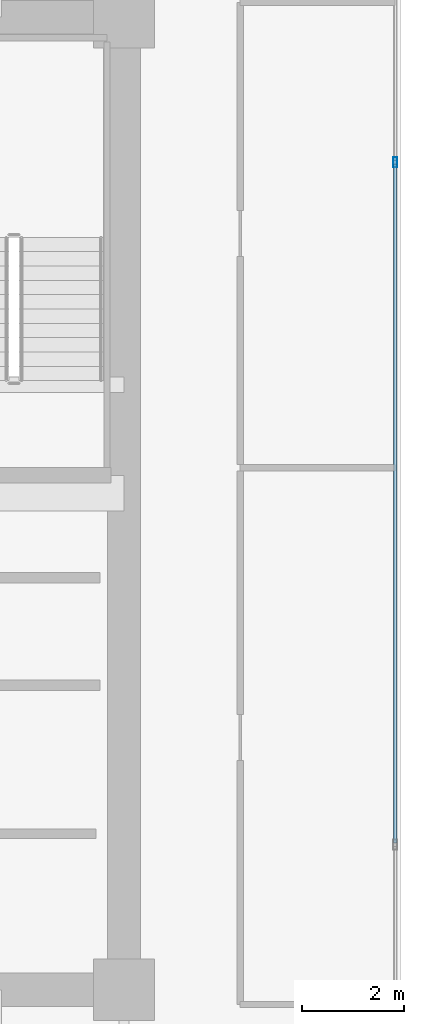
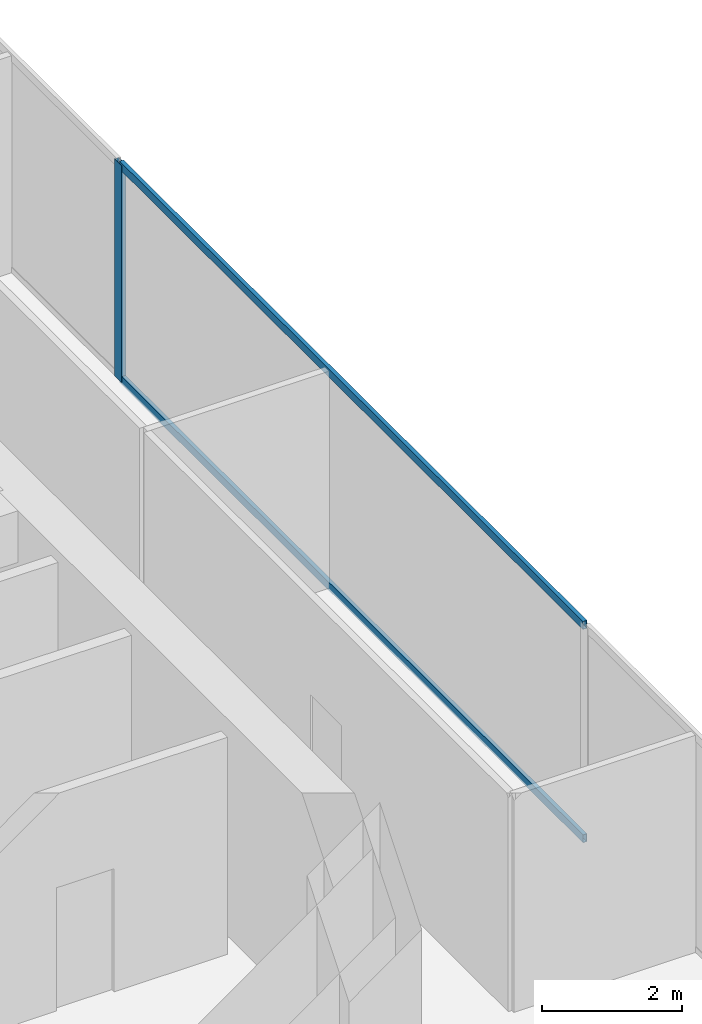
# One storey, part 20 of 30: 3 members, 1 element without a shape of its own.
"""IFC4 building model written with IfcOpenShell, lengths in metres."""

from ifc_helpers import new_model, si_unit, direction, frame, origin, origin_2d, place, context, subcontext, project, spatial, hollow_rectangle, extrude, source, transform, mapped, material, layer, layer_set, material_profile, profile_set, type_object, type_shapes, element, aggregate, save


model = new_model("IFC4")

# Units and contexts
model_context = context("Model", 3, precision=1e-05, world=origin(), true_north=direction((0.0, 1.0)))
body_context = subcontext(model_context, "Body", "Model", "MODEL_VIEW")
ifc_project = project(units=[si_unit("LENGTHUNIT", "METRE"), si_unit("AREAUNIT", "SQUARE_METRE"), si_unit("VOLUMEUNIT", "CUBIC_METRE"), si_unit("PLANEANGLEUNIT", "RADIAN"), si_unit("MASSUNIT", "GRAM", prefix="KILO")], contexts=[model_context])

# Site, building, storey
site_placement = place(None, origin())
site = spatial("IfcSite", under=ifc_project, at=site_placement, CompositionType="ELEMENT")
building_placement = place(site_placement, origin())
building = spatial("IfcBuilding", under=site, at=building_placement, Name="Haelvirn Gate Laboratories", CompositionType="ELEMENT")
storey_placement = place(building_placement, frame((0.0, 0.0, 113.300048828125)))
storey = spatial("IfcBuildingStorey", under=building, at=storey_placement, Name="L27", CompositionType="ELEMENT", Elevation=113.300048828125)

# Curtain wall, members
ifc_material_1 = material(Name="Anodised bronze unitised aluminium & triple low-E glass", Category="aluminium")
ifc_layer = layer(ifc_material_1, 0.179931640625, Name="CW-SYS-3")
ifc_layer_set = layer_set([ifc_layer], Name="Anodised bronze unitised aluminium & triple low-E glass")
curtain_wall_type = type_object("IfcCurtainWallType", Name="CW-SYS-3", PredefinedType="NOTDEFINED", material=ifc_layer_set)
curtain_wall_placement = place(storey_placement, origin())
curtain_wall = element("IfcCurtainWall", 1, at=curtain_wall_placement, inside=storey, type_object=curtain_wall_type, Name="L27 Unitised Curtain Wall CW-L27-P0-E07", PredefinedType="NOTDEFINED")
ifc_material_2 = material(Name="Extruded aluminium 6063-T6 (anodised bronze)", Category="aluminium")
ifc_material_profile_1 = material_profile(ifc_material_2, hollow_rectangle(XDim=0.06494140625, YDim=0.139892578125, WallThickness=0.00390625, at=origin_2d()), Name="CWT-140x65x4")
ifc_profile_set_1 = profile_set([ifc_material_profile_1], Name="Extruded aluminium 6063-T6 (anodised bronze)")
member_type_1 = type_object("IfcMemberType", Name="CWT-T140", PredefinedType="USERDEFINED", material=ifc_profile_set_1)
shared_shape_1 = source(origin(), body_context, "Body", "SweptSolid", [
    extrude(hollow_rectangle(XDim=0.06494140625, YDim=0.139892578125, WallThickness=0.00390625, at=origin_2d()), origin(), (0.0, 0.0, 1.0), 13.25830078125),
])
type_shapes(member_type_1, [shared_shape_1])
member_1_placement = place(storey_placement, frame((72.699951171875, 17.6708984375, 0.032470703125), z_axis=(0.0, 1.0, 0.0), x_axis=(-1.0, 0.0, 0.0)))
member_1 = element("IfcMember", 2, at=member_1_placement, type_object=member_type_1, Name="CW3 transom 2.1", ObjectType="TRANSOM", PredefinedType="USERDEFINED", context=body_context, shape_type="MappedRepresentation", body=[
    mapped(shared_shape_1, transform((0.0, 0.0, 0.0), scale=1.0)),
])
member_2_placement = place(storey_placement, frame((72.699951171875, 17.6708984375, 3.757568359375), z_axis=(0.0, 1.0, 0.0), x_axis=(-1.0, 0.0, 0.0)))
member_2 = element("IfcMember", 3, at=member_2_placement, type_object=member_type_1, Name="CW3 transom 2.2", ObjectType="TRANSOM", PredefinedType="USERDEFINED", context=body_context, shape_type="MappedRepresentation", body=[
    mapped(shared_shape_1, transform((0.0, 0.0, 0.0), scale=1.0)),
])
ifc_material_profile_2 = material_profile(ifc_material_2, hollow_rectangle(XDim=0.074951171875, YDim=0.199951171875, WallThickness=0.0048828125, at=origin_2d()), Name="CWM-200x75x5")
ifc_profile_set_2 = profile_set([ifc_material_profile_2], Name="Extruded aluminium 6063-T6 (anodised bronze)")
member_type_2 = type_object("IfcMemberType", Name="CWM-T200", PredefinedType="MULLION", material=ifc_profile_set_2)
shared_shape_2 = source(origin(), body_context, "Body", "SweptSolid", [
    extrude(hollow_rectangle(XDim=0.074951171875, YDim=0.199951171875, WallThickness=0.0048828125, at=origin_2d()), origin(), (0.0, 0.0, 1.0), 3.7900390625),
])
type_shapes(member_type_2, [shared_shape_2])
member_3_placement = place(storey_placement, frame((72.699951171875, 30.966552734375, 0.0), z_axis=(0.0, 0.0, 1.0), x_axis=(-1.0, 0.0, 0.0)))
member_3 = element("IfcMember", 4, at=member_3_placement, type_object=member_type_2, Name="CW3 mullion 3", PredefinedType="MULLION", context=body_context, shape_type="MappedRepresentation", body=[
    mapped(shared_shape_2, transform((0.0, 0.0, 0.0), scale=1.0)),
])
aggregate(curtain_wall, [member_3, member_1, member_2])

save(model, "model.ifc")
